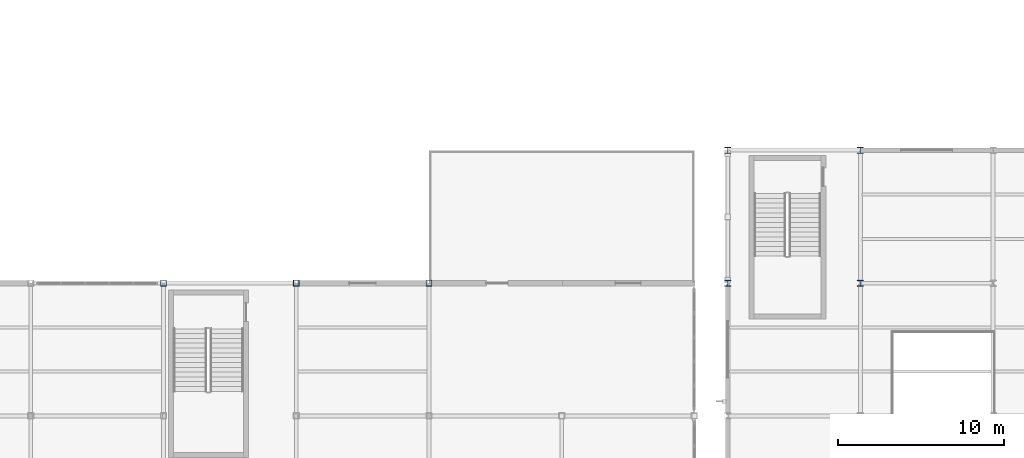
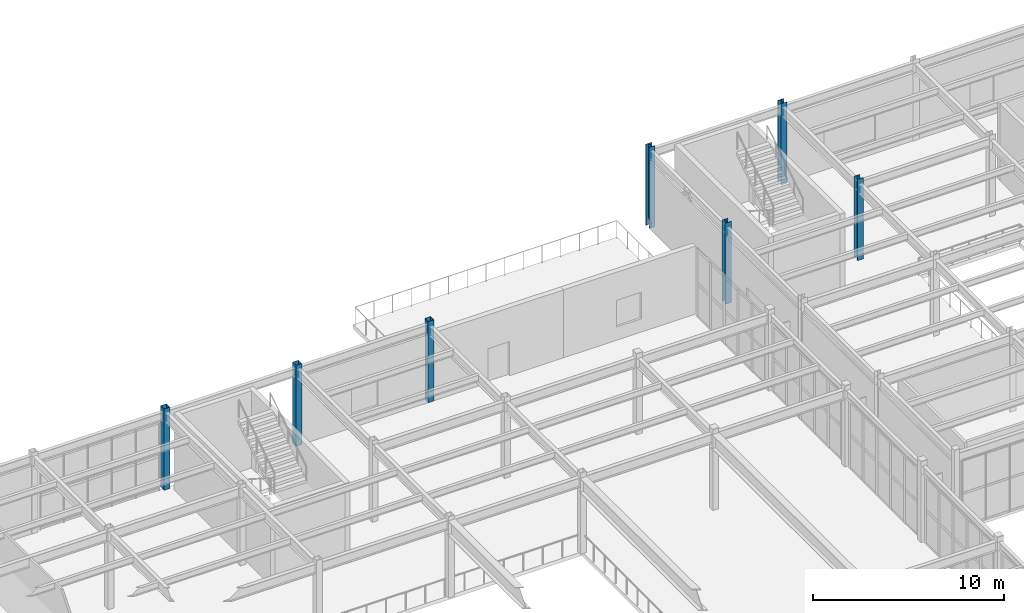
# One storey, part 13 of 77: 7 columns.
"""IFC4 building model written with IfcOpenShell, lengths in metres."""

from ifc_helpers import new_model, si_unit, direction, frame, origin, origin_2d, place, context, subcontext, project, spatial, hollow_rectangle, i_section, extrude, material, material_profile, profile_set, type_object, element, save


model = new_model("IFC4")

# Units and contexts
model_context = context("Model", 3, precision=1e-05, world=origin(), true_north=direction((0.0, 1.0)))
body_context = subcontext(model_context, "Body", "Model", "MODEL_VIEW")
ifc_project = project(units=[si_unit("LENGTHUNIT", "METRE"), si_unit("AREAUNIT", "SQUARE_METRE"), si_unit("VOLUMEUNIT", "CUBIC_METRE"), si_unit("PLANEANGLEUNIT", "RADIAN"), si_unit("MASSUNIT", "GRAM", prefix="KILO")], contexts=[model_context])

# Site, building, storey
site_placement = place(None, origin())
site = spatial("IfcSite", under=ifc_project, at=site_placement, CompositionType="ELEMENT")
building_placement = place(site_placement, origin())
building = spatial("IfcBuilding", under=site, at=building_placement, Name="Drelvath Fold Interchange", CompositionType="ELEMENT")
storey_placement = place(building_placement, frame((0.0, 0.0, 6.0)))
storey = spatial("IfcBuildingStorey", under=building, at=storey_placement, Name="L01", CompositionType="ELEMENT", Elevation=6.0)

# Columns
ifc_material_1 = material(Name="Steel ASTM A500 Grade C", Category="steel")
ifc_material_profile_1 = material_profile(ifc_material_1, hollow_rectangle(XDim=0.35595703125, YDim=0.35595703125, WallThickness=0.014892578125, at=origin_2d()), Name="HSS14X14X5/8")
ifc_profile_set_1 = profile_set([ifc_material_profile_1], Name="Steel ASTM A500 Grade C")
column_type_1 = type_object("IfcColumnType", Name="COL-HSS356", PredefinedType="COLUMN", material=ifc_profile_set_1)
for number, where, z_axis, x_axis, name in (
    (1, (68.0, 99.0, 0.0), (0.0, 0.0, 1.0), (1.0, 0.0, 0.0), "L01 column (68,99)"),
    (2, (76.0, 99.0, 0.0), (0.0, 0.0, 1.0), (1.0, 0.0, 0.0), "L01 column (76,99)"),
    (3, (84.0, 99.0, 0.0), (0.0, 0.0, 1.0), (1.0, 0.0, 0.0), "L01 column (84,99)"),
):
    element("IfcColumn", number, at=place(storey_placement, frame(where, z_axis=z_axis, x_axis=x_axis)), inside=storey, type_object=column_type_1, Name=name, PredefinedType="COLUMN", context=body_context, shape_type="SweptSolid", body=[
        extrude(hollow_rectangle(XDim=0.35595703125, YDim=0.35595703125, WallThickness=0.014892578125, at=origin_2d()), origin(), (0.0, 0.0, 1.0), 5.199951171875),
    ])
ifc_material_2 = material(Name="Steel ASTM A992 Grade 50", Category="steel")
ifc_material_profile_2 = material_profile(ifc_material_2, i_section(OverallWidth=0.368896484375, OverallDepth=0.35595703125, WebThickness=0.01123046875, FlangeThickness=0.01806640625, at=origin_2d()), Name="W14X90")
ifc_profile_set_2 = profile_set([ifc_material_profile_2], Name="Steel ASTM A992 Grade 50")
column_type_2 = type_object("IfcColumnType", Name="COL-W14X90", PredefinedType="COLUMN", material=ifc_profile_set_2)
for number, where, z_axis, x_axis, name in (
    (4, (102.0, 99.0, 0.0), (0.0, 0.0, 1.0), (1.0, 0.0, 0.0), "L01 column (102,99)"),
    (5, (102.0, 107.0, 0.0), (0.0, 0.0, 1.0), (1.0, 0.0, 0.0), "L01 column (102,107)"),
    (6, (110.0, 99.0, 0.0), (0.0, 0.0, 1.0), (1.0, 0.0, 0.0), "L01 column (110,99)"),
    (7, (110.0, 107.0, 0.0), (0.0, 0.0, 1.0), (1.0, 0.0, 0.0), "L01 column (110,107)"),
):
    element("IfcColumn", number, at=place(storey_placement, frame(where, z_axis=z_axis, x_axis=x_axis)), inside=storey, type_object=column_type_2, Name=name, PredefinedType="COLUMN", context=body_context, shape_type="SweptSolid", body=[
        extrude(i_section(OverallWidth=0.368896484375, OverallDepth=0.35595703125, WebThickness=0.01123046875, FlangeThickness=0.01806640625, at=origin_2d()), origin(), (0.0, 0.0, 1.0), 5.199951171875),
    ])

save(model, "model.ifc")
